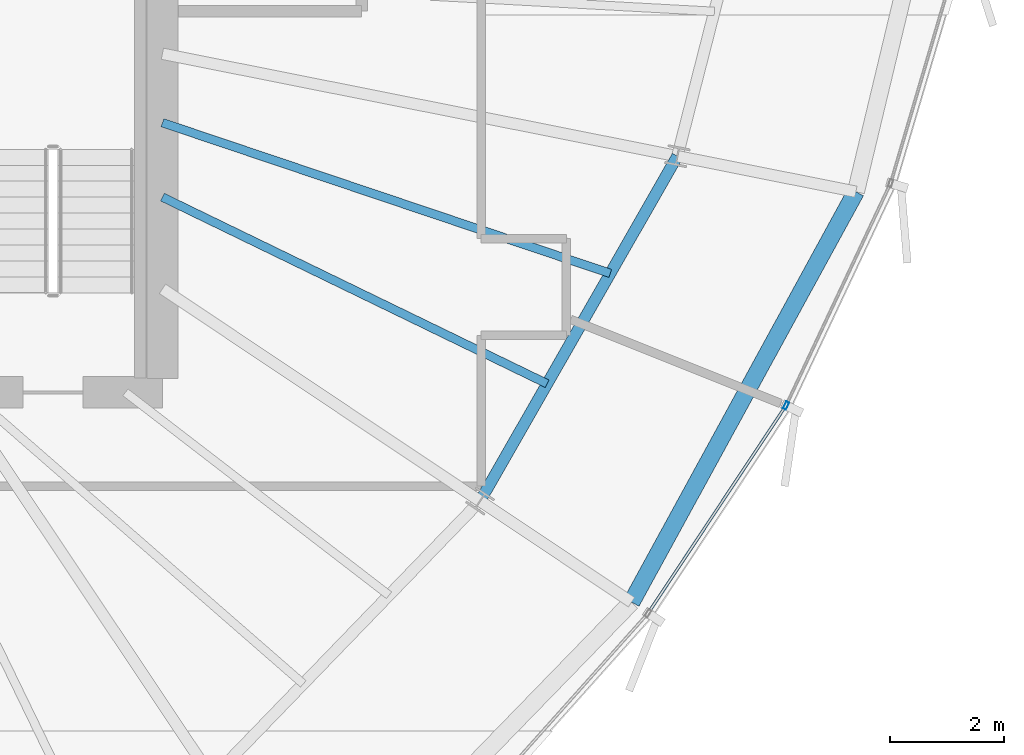
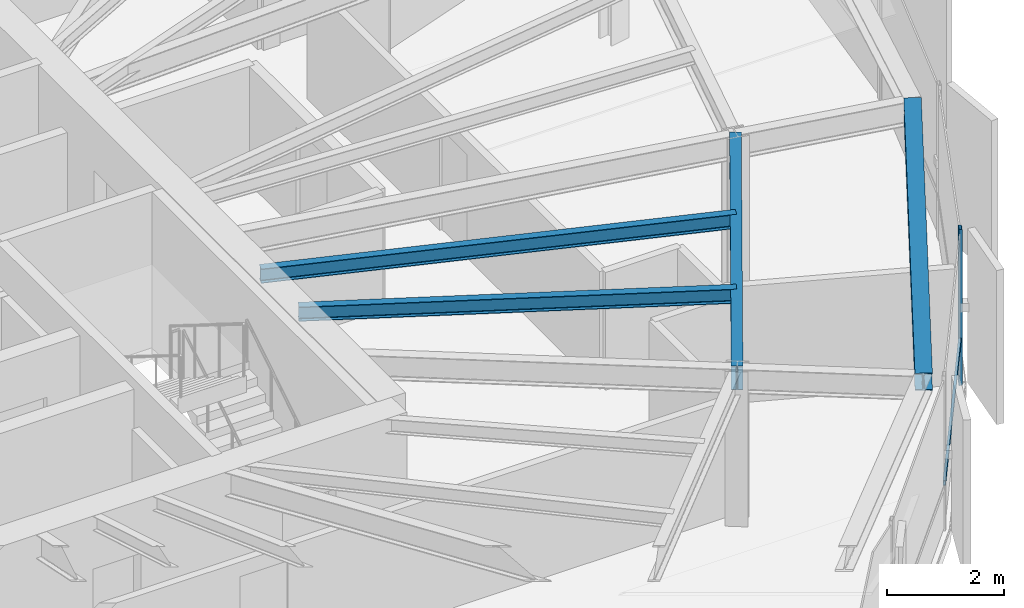
# One storey, part 13 of 33: 4 beams, 2 members, 1 element without a shape of its own.
"""IFC4 building model written with IfcOpenShell, lengths in metres."""

from ifc_helpers import new_model, si_unit, direction, frame, origin, origin_2d, place, context, subcontext, project, spatial, hollow_rectangle, i_section, extrude, source, transform, mapped, material, layer, layer_set, material_profile, profile_set, type_object, element, aggregate, save


model = new_model("IFC4")

# Units and contexts
model_context = context("Model", 3, precision=1e-05, world=origin(), true_north=direction((0.0, 1.0)))
body_context = subcontext(model_context, "Body", "Model", "MODEL_VIEW")
ifc_project = project(units=[si_unit("LENGTHUNIT", "METRE"), si_unit("AREAUNIT", "SQUARE_METRE"), si_unit("VOLUMEUNIT", "CUBIC_METRE"), si_unit("PLANEANGLEUNIT", "RADIAN"), si_unit("MASSUNIT", "GRAM", prefix="KILO"), si_unit("THERMODYNAMICTEMPERATUREUNIT", "KELVIN")], contexts=[model_context])

# Site, building, storey
site_placement = place(None, origin())
site = spatial("IfcSite", under=ifc_project, at=site_placement, CompositionType="ELEMENT")
building_placement = place(site_placement, origin())
building = spatial("IfcBuilding", under=site, at=building_placement, Name="Kethvar Cultural Tower", CompositionType="ELEMENT")
storey_placement = place(building_placement, frame((0.0, 0.0, 211.39990234375)))
storey = spatial("IfcBuildingStorey", under=building, at=storey_placement, Name="L55", CompositionType="ELEMENT", Elevation=211.39990234375)

# Beams
ifc_material_1 = material(Name="Steel S355J2", Category="steel")
ifc_material_profile_1 = material_profile(ifc_material_1, i_section(OverallWidth=0.199951171875, OverallDepth=0.5, WebThickness=0.01025390625, FlangeThickness=0.01611328125, FilletRadius=0.02099609375, at=origin_2d()), Name="Steel S355J2 — IPE500")
ifc_profile_set_1 = profile_set([ifc_material_profile_1], Name="Steel S355J2 — IPE500")
beam_type_1 = type_object("IfcBeamType", Name="BM-IPE500", PredefinedType="BEAM", material=ifc_profile_set_1)
shared_shape_1 = source(origin(), body_context, "Body", "SweptSolid", [
    extrude(i_section(OverallWidth=0.199951171875, OverallDepth=0.5, WebThickness=0.01025390625, FlangeThickness=0.01611328125, FilletRadius=0.02099609375, at=origin_2d()), origin(), (0.0, 0.0, 1.0), 6.98095703125),
])
beam_1_placement = place(storey_placement, frame((61.1826171875, 18.18994140625, 3.008056640625), z_axis=(0.496496686118, 0.868038617041, 0.0), x_axis=(-0.868038617041, 0.496496686118, 0.0)))
element("IfcBeam", 1, at=beam_1_placement, inside=storey, type_object=beam_type_1, Name="L55 Column Ring Tie Beam CR-15", PredefinedType="BEAM", context=body_context, shape_type="MappedRepresentation", body=[
    mapped(shared_shape_1, transform((0.0, 0.0, 0.0), scale=1.0)),
])
ifc_material_profile_2 = material_profile(ifc_material_1, i_section(OverallWidth=0.300048828125, OverallDepth=0.360107421875, WebThickness=0.012451171875, FlangeThickness=0.0224609375, FilletRadius=0.027099609375, at=origin_2d()), Name="Steel S355J2 — HEB360")
ifc_profile_set_2 = profile_set([ifc_material_profile_2], Name="Steel S355J2 — HEB360")
beam_type_2 = type_object("IfcBeamType", Name="BM-SP360", PredefinedType="SPANDREL", material=ifc_profile_set_2)
shared_shape_2 = source(origin(), body_context, "Body", "SweptSolid", [
    extrude(i_section(OverallWidth=0.300048828125, OverallDepth=0.360107421875, WebThickness=0.012451171875, FlangeThickness=0.0224609375, FilletRadius=0.027099609375, at=origin_2d()), origin(), (0.0, 0.0, 1.0), 8.22119140625),
])
beam_2_placement = place(storey_placement, frame((63.84326171875, 16.412109375, 3.078125), z_axis=(0.479721613821, 0.8774207504, 0.0), x_axis=(-0.8774207504, 0.479721613821, 0.0)))
element("IfcBeam", 2, at=beam_2_placement, inside=storey, type_object=beam_type_2, Name="L55 Perimeter Spandrel Beam SP-15", PredefinedType="SPANDREL", context=body_context, shape_type="MappedRepresentation", body=[
    mapped(shared_shape_2, transform((0.0, 0.0, 0.0), scale=1.0)),
])
ifc_material_profile_3 = material_profile(ifc_material_1, i_section(OverallWidth=0.14990234375, OverallDepth=0.300048828125, WebThickness=0.007080078125, FlangeThickness=0.0107421875, FilletRadius=0.014892578125, at=origin_2d()), Name="Steel S355J2 — IPE300")
ifc_profile_set_3 = profile_set([ifc_material_profile_3], Name="Steel S355J2 — IPE300")
beam_type_3 = type_object("IfcBeamType", Name="BM-J300", PredefinedType="JOIST", material=ifc_profile_set_3)
shared_shape_3 = source(origin(), body_context, "Body", "SweptSolid", [
    extrude(i_section(OverallWidth=0.14990234375, OverallDepth=0.300048828125, WebThickness=0.007080078125, FlangeThickness=0.0107421875, FilletRadius=0.014892578125, at=origin_2d()), origin(), (0.0, 0.0, 1.0), 7.5146484375),
])
beam_3_placement = place(storey_placement, frame((55.60009765625, 23.530517578125, 3.108154296875), z_axis=(0.899698132091, -0.436512624229, 0.0), x_axis=(0.436512624229, 0.899698132091, 0.0)))
element("IfcBeam", 3, at=beam_3_placement, inside=storey, type_object=beam_type_3, Name="L55 Composite Floor Joist J-15A", PredefinedType="JOIST", context=body_context, shape_type="MappedRepresentation", body=[
    mapped(shared_shape_3, transform((0.0, 0.0, 0.0), scale=1.0)),
])
shared_shape_4 = source(origin(), body_context, "Body", "SweptSolid", [
    extrude(i_section(OverallWidth=0.14990234375, OverallDepth=0.300048828125, WebThickness=0.007080078125, FlangeThickness=0.0107421875, FilletRadius=0.014892578125, at=origin_2d()), origin(), (0.0, 0.0, 1.0), 8.303955078125),
])
beam_4_placement = place(storey_placement, frame((55.60009765625, 24.838134765625, 3.108154296875), z_axis=(0.94776496661, -0.318969540971, 0.0), x_axis=(0.318969540971, 0.94776496661, 0.0)))
element("IfcBeam", 4, at=beam_4_placement, inside=storey, type_object=beam_type_3, Name="L55 Composite Floor Joist J-15B", PredefinedType="JOIST", context=body_context, shape_type="MappedRepresentation", body=[
    mapped(shared_shape_4, transform((0.0, 0.0, 0.0), scale=1.0)),
])

# Curtain wall, members
ifc_material_2 = material(Name="Aluminium 6063-T6", Category="aluminium")
ifc_layer = layer(ifc_material_2, 0.179931640625, Name="Aluminium 6063-T6", Category="aluminium")
ifc_layer_set = layer_set([ifc_layer], Name="Aluminium 6063-T6 (180 mm)")
curtain_wall_type = type_object("IfcCurtainWallType", Name="CW-SYS-04-Z34", PredefinedType="NOTDEFINED", material=ifc_layer_set)
curtain_wall_placement = place(storey_placement, origin())
curtain_wall = element("IfcCurtainWall", 5, at=curtain_wall_placement, inside=storey, type_object=curtain_wall_type, Name="L55 Curtain Wall Run 05", PredefinedType="NOTDEFINED")
ifc_material_profile_4 = material_profile(ifc_material_2, hollow_rectangle(XDim=0.050048828125, YDim=0.10009765625, WallThickness=0.00390625, at=origin_2d()), Name="Aluminium 6063-T6 — RHS100x50x4")
ifc_profile_set_4 = profile_set([ifc_material_profile_4], Name="Aluminium 6063-T6 — RHS100x50x4")
member_type_1 = type_object("IfcMemberType", Name="CW-SYS-04-Z34-TRN", PredefinedType="USERDEFINED", material=ifc_profile_set_4)
shared_shape_5 = source(origin(), body_context, "Body", "SweptSolid", [
    extrude(hollow_rectangle(XDim=0.050048828125, YDim=0.10009765625, WallThickness=0.00390625, at=origin_2d()), origin(), (0.0, 0.0, 1.0), 4.310546875),
])
member_1_placement = place(storey_placement, frame((64.158935546875, 16.253662109375, 0.9501953125), z_axis=(0.553026037357, 0.83316397066, 0.0), x_axis=(-0.83316397066, 0.553026037357, 0.0)))
member_1 = element("IfcMember", 6, at=member_1_placement, type_object=member_type_1, Name="CW-L55-R05 Transom 4", ObjectType="TRANSOM", PredefinedType="USERDEFINED", context=body_context, shape_type="MappedRepresentation", body=[
    mapped(shared_shape_5, transform((0.0, 0.0, 0.0), scale=1.0)),
])
ifc_material_profile_5 = material_profile(ifc_material_2, hollow_rectangle(XDim=0.06005859375, YDim=0.139892578125, WallThickness=0.0048828125, at=origin_2d()), Name="Aluminium 6063-T6 — RHS140x60x5")
ifc_profile_set_5 = profile_set([ifc_material_profile_5], Name="Aluminium 6063-T6 — RHS140x60x5")
member_type_2 = type_object("IfcMemberType", Name="CW-SYS-04-Z34-MUL", PredefinedType="MULLION", material=ifc_profile_set_5)
shared_shape_6 = source(origin(), body_context, "Body", "SweptSolid", [
    extrude(hollow_rectangle(XDim=0.06005859375, YDim=0.139892578125, WallThickness=0.0048828125, at=origin_2d()), origin(), (0.0, 0.0, 1.0), 3.260009765625),
])
member_2_placement = place(storey_placement, frame((66.558837890625, 19.866943359375, 0.0), z_axis=(0.0, 0.0, 1.0), x_axis=(-0.904938490215, 0.425542393808, 0.0)))
member_2 = element("IfcMember", 7, at=member_2_placement, type_object=member_type_2, Name="CW-L55-R05 Mullion 5", PredefinedType="MULLION", context=body_context, shape_type="MappedRepresentation", body=[
    mapped(shared_shape_6, transform((0.0, 0.0, 0.0), scale=1.0)),
])
aggregate(curtain_wall, [member_2, member_1])

save(model, "model.ifc")
